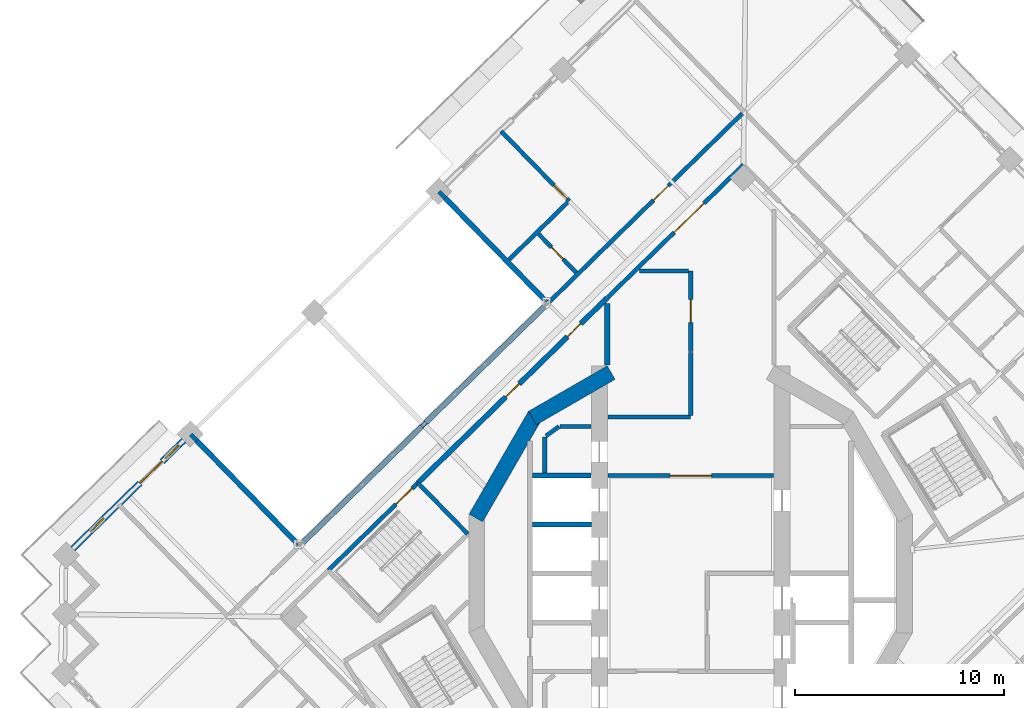
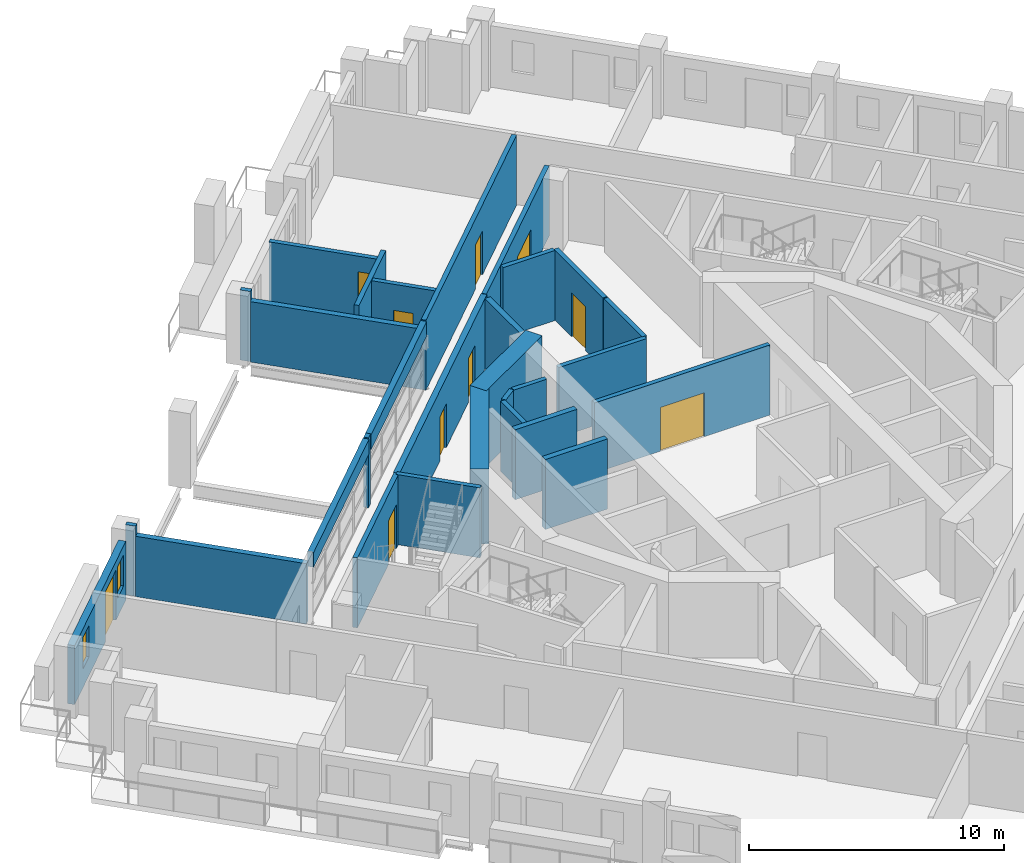
# One storey, part 11 of 21: 29 walls, 10 doors, 2 windows, 12 openings.
"""IFC4 building model written with IfcOpenShell, lengths in metres."""

import ifcopenshell
import ifcopenshell.guid

model = None  # the IFC model being written
_history = None  # IfcOwnerHistory: only IFC2X3 demands one
_inside = {}  # id of a spatial element -> (the spatial element, [elements in it])
_under = {}  # id of a project, library or spatial element -> (it, [spatial elements below it])
_declared = {}  # id of a project -> (the project, [libraries it declares])
_typed = {}  # id of a type object -> (the type object, [elements of that type])
_made_of = {}  # id of a material, layer set ... -> (it, [elements and type objects made of it])


def new_model(schema):
    """Start an empty IFC model of exactly this schema.

    Asked for "IFC4X3", IfcOpenShell would pick the latest addendum, in which some entities
    have other attributes; the version numbers below select the first issue.
    IFC2X3 requires an IfcOwnerHistory on every rooted entity: one is made here for all.
    """
    global model, _history
    if schema == "IFC4X3":
        model = ifcopenshell.file(schema_version=(4, 3, 0, 0))
    else:
        model = ifcopenshell.file(schema=schema)
    _inside.clear()
    _under.clear()
    _declared.clear()
    _typed.clear()
    _made_of.clear()
    _history = None
    if model.schema == "IFC2X3":
        org = make("IfcOrganization", Name="unknown")
        user = make(
            "IfcPersonAndOrganization",
            ThePerson=make("IfcPerson", FamilyName="unknown"),
            TheOrganization=org,
        )
        app = make(
            "IfcApplication",
            ApplicationDeveloper=org,
            Version="unknown",
            ApplicationFullName="unknown",
            ApplicationIdentifier="unknown",
        )
        _history = make(
            "IfcOwnerHistory",
            OwningUser=user,
            OwningApplication=app,
            ChangeAction="ADDED",
            CreationDate=0,
        )
    return model


def make(cls, **values):
    """One entity of the class cls with the attributes given. An attribute that is None is left unset."""
    return model.create_entity(
        cls, **{name: value for name, value in values.items() if value is not None}
    )


def rooted(cls, **values):
    """An entity with a GlobalId (a new one), such as an element, a storey or a relation."""
    return make(cls, GlobalId=ifcopenshell.guid.new(), OwnerHistory=_history, **values)


def si_unit(unit_type, name, prefix=None):
    """IfcSIUnit, for example si_unit("LENGTHUNIT", "METRE", prefix="MILLI")."""
    return make("IfcSIUnit", UnitType=unit_type, Prefix=prefix, Name=name)


def assignment(units):
    """IfcUnitAssignment: the units of a project."""
    return None if units is None else make("IfcUnitAssignment", Units=units)


def point(xyz):
    """IfcCartesianPoint."""
    return None if xyz is None else make("IfcCartesianPoint", Coordinates=xyz)


def direction(xyz):
    """IfcDirection."""
    return None if xyz is None else make("IfcDirection", DirectionRatios=xyz)


def frame(location, z_axis=None, x_axis=None):
    """IfcAxis2Placement3D, a coordinate frame: its origin and axes. An axis left out is left unset."""
    return make(
        "IfcAxis2Placement3D",
        Location=point(location),
        Axis=direction(z_axis),
        RefDirection=direction(x_axis),
    )


def frame_2d(location, x_axis=None):
    """IfcAxis2Placement2D, a coordinate frame in the plane: its origin and x axis."""
    return make(
        "IfcAxis2Placement2D", Location=point(location), RefDirection=direction(x_axis)
    )


def origin():
    """The frame at (0, 0, 0) with its axes left unset."""
    return frame((0.0, 0.0, 0.0))


def place(relative_to, where):
    """IfcLocalPlacement: puts the frame where relative to a parent placement (None: the world)."""
    return make(
        "IfcLocalPlacement", PlacementRelTo=relative_to, RelativePlacement=where
    )


def context(
    kind, dimensions, precision=None, world=None, true_north=None, identifier=None
):
    """IfcGeometricRepresentationContext, for example the 3D "Model" context."""
    return make(
        "IfcGeometricRepresentationContext",
        ContextIdentifier=identifier,
        ContextType=kind,
        CoordinateSpaceDimension=dimensions,
        Precision=precision,
        WorldCoordinateSystem=world,
        TrueNorth=true_north,
    )


def subcontext(parent, identifier, kind, view, scale=None):
    """IfcGeometricRepresentationSubContext, for example "Body" below "Model"."""
    return make(
        "IfcGeometricRepresentationSubContext",
        ContextIdentifier=identifier,
        ContextType=kind,
        ParentContext=parent,
        TargetScale=scale,
        TargetView=view,
    )


def project(units=None, contexts=None):
    """IfcProject with its units and contexts."""
    return rooted(
        "IfcProject",
        Name="project",
        RepresentationContexts=contexts,
        UnitsInContext=assignment(units),
    )


def spatial(cls, under=None, at=None, **own):
    """A site, building, storey or space (cls), placed at a placement, below another one or the project."""
    s = rooted(cls, ObjectPlacement=at, **own)
    if under is not None:
        _under.setdefault(under.id(), (under, []))[1].append(s)
    return s


def profile(cls, at=None, kind="AREA", **sizes):
    """A parametric profile (cls). Its sizes go by their IFC names, for example OverallWidth=200.0."""
    return make(cls, ProfileType=kind, Position=at, **sizes)


def rectangle(**sizes):
    """IfcRectangleProfileDef."""
    return profile("IfcRectangleProfileDef", **sizes)


def extrude(swept, where, along, depth):
    """IfcExtrudedAreaSolid: the profile swept, set in the frame where, extruded along a direction by depth."""
    return make(
        "IfcExtrudedAreaSolid",
        SweptArea=swept,
        Position=where,
        ExtrudedDirection=direction(along),
        Depth=depth,
    )


def shape(context_of_items, identifier, shape_type, items):
    """IfcShapeRepresentation: the items that make up one representation, for example the "Body"."""
    return make(
        "IfcShapeRepresentation",
        ContextOfItems=context_of_items,
        RepresentationIdentifier=identifier,
        RepresentationType=shape_type,
        Items=items,
    )


def material(Name=None, Category=None):
    """IfcMaterial."""
    return make("IfcMaterial", Name=Name, Category=Category)


def layer(
    of_material, thickness, ventilated=None, Name=None, Category=None, Priority=None
):
    """IfcMaterialLayer: one layer of a wall or slab, of a material (None: an air gap)."""
    return make(
        "IfcMaterialLayer",
        Material=of_material,
        LayerThickness=thickness,
        IsVentilated=ventilated,
        Name=Name,
        Category=Category,
        Priority=Priority,
    )


def layer_set(layers, Name=None):
    """IfcMaterialLayerSet."""
    return make("IfcMaterialLayerSet", MaterialLayers=layers, LayerSetName=Name)


def made_of(thing, what):
    """Note that an element or type object is made of a material, layer set ...; save() writes the relation."""
    if what is not None:
        _made_of.setdefault(what.id(), (what, []))[1].append(thing)
    return thing


def type_object(cls, material=None, **own):
    """A type object (cls), such as IfcWallType, which elements share."""
    return made_of(rooted(cls, **own), material)


def element(
    cls,
    number,
    at=None,
    inside=None,
    cuts=None,
    type_object=None,
    material=None,
    context=None,
    identifier="Body",
    shape_type=None,
    held_by="IfcProductDefinitionShape",
    body=None,
    shapes=None,
    **own,
):
    """One element of the class cls, such as IfcWall. Its Tag is "e" and its number.

    at: its placement. inside: the storey or other place that contains it. cuts: it is an
    opening in that element (IfcRelVoidsElement). A single representation is given by context,
    identifier, shape_type and body (its items); several are given by shapes. held_by: the class
    of the entity that holds the representations. save() writes the other relations.
    """
    e = rooted(cls, Tag="e%d" % number, ObjectPlacement=at, **own)
    if body is not None:
        shapes = [shape(context, identifier, shape_type, body)]
    if shapes is not None:
        e.Representation = make(held_by, Representations=shapes)
    if inside is not None:
        _inside.setdefault(inside.id(), (inside, []))[1].append(e)
    if cuts is not None:
        rooted(
            "IfcRelVoidsElement", RelatingBuildingElement=cuts, RelatedOpeningElement=e
        )
    if type_object is not None:
        _typed.setdefault(type_object.id(), (type_object, []))[1].append(e)
    return made_of(e, material)


def fill(opening, filler):
    """IfcRelFillsElement: the door or window that sits in an opening."""
    return rooted(
        "IfcRelFillsElement",
        RelatingOpeningElement=opening,
        RelatedBuildingElement=filler,
    )


def aggregate(whole, parts):
    """IfcRelAggregates: a whole, such as a stair, and the parts it consists of."""
    return rooted("IfcRelAggregates", RelatingObject=whole, RelatedObjects=parts)


def save(model, path):
    """Write the relations noted so far, then the file.

    IfcRelAggregates (storeys below a building ...), IfcRelContainedInSpatialStructure (elements
    in a storey), IfcRelDefinesByType, IfcRelAssociatesMaterial and IfcRelDeclares: one each for
    every whole, place, type object, material and project.
    """
    for whole, parts in _under.values():
        aggregate(whole, parts)
    for where, things in _inside.values():
        rooted(
            "IfcRelContainedInSpatialStructure",
            RelatedElements=things,
            RelatingStructure=where,
        )
    for kind, things in _typed.values():
        rooted("IfcRelDefinesByType", RelatedObjects=things, RelatingType=kind)
    for what, things in _made_of.values():
        rooted("IfcRelAssociatesMaterial", RelatedObjects=things, RelatingMaterial=what)
    for by, libraries in _declared.values():
        rooted("IfcRelDeclares", RelatingContext=by, RelatedDefinitions=libraries)
    model.write(path)


model = new_model("IFC4")

# Units and contexts
model_context = context("Model", 3, precision=1e-05, world=origin(), true_north=direction((0.0, 1.0)))
body_context = subcontext(model_context, "Body", "Model", "MODEL_VIEW")
ifc_project = project(units=[si_unit("LENGTHUNIT", "METRE"), si_unit("AREAUNIT", "SQUARE_METRE"), si_unit("VOLUMEUNIT", "CUBIC_METRE"), si_unit("PLANEANGLEUNIT", "RADIAN"), si_unit("MASSUNIT", "GRAM", prefix="KILO")], contexts=[model_context])

# Site, building, storey
site_placement = place(None, origin())
site = spatial("IfcSite", under=ifc_project, at=site_placement, CompositionType="ELEMENT")
building_placement = place(site_placement, origin())
building = spatial("IfcBuilding", under=site, at=building_placement, Name="Cantera Rosa Tower", CompositionType="ELEMENT")
storey_placement = place(building_placement, frame((0.0, 0.0, 230.60009765625)))
storey = spatial("IfcBuildingStorey", under=building, at=storey_placement, Name="L50", CompositionType="ELEMENT", Elevation=230.60009765625)

# Wall, opening, door
ifc_material_1 = material(Name="Gypsum board partition")
ifc_layer_1 = layer(ifc_material_1, 0.199951171875)
ifc_layer_set_1 = layer_set([ifc_layer_1], Name="CORRIDOR WALL 200 H3350")
wall_type_1 = type_object("IfcWallType", Name="CORRIDOR WALL 200 H3350", PredefinedType="PARTITIONING", material=ifc_layer_set_1)
wall_1_placement = place(storey_placement, frame((-3.969970703125, 4.699951171875, 0.0), z_axis=(0.0, 0.0, 1.0), x_axis=(1.0, 0.0, 0.0)))
wall_1 = element("IfcWall", 1, at=wall_1_placement, inside=storey, type_object=wall_type_1, Name="CORRIDOR WALL L50-050", PredefinedType="PARTITIONING", context=body_context, shape_type="SweptSolid", body=[
    extrude(rectangle(XDim=7.93994140625, YDim=0.199951171875, at=frame_2d((3.969970703125, 0.0))), origin(), (0.0, 0.0, 1.0), 3.349853515625),
])
opening_1_placement = place(wall_1_placement, frame((2.969970703125, 0.0, 0.0)))
opening_1 = element("IfcOpeningElement", 2, at=opening_1_placement, cuts=wall_1, Name="Opening L50-014", PredefinedType="OPENING", context=body_context, shape_type="SweptSolid", body=[
    extrude(rectangle(XDim=2.0, YDim=2.10009765625, at=frame_2d((1.0, 1.050048828125))), frame((0.0, 0.10986328125, 0.0), z_axis=(0.0, -1.0, 0.0), x_axis=(1.0, 0.0, 0.0)), (0.0, 0.0, 1.0), 0.219970703125),
])
ifc_material_2 = material(Name="Steel S355J2 (EN 10025-2)", Category="steel")
door_type_1 = type_object("IfcDoorType", Name="LOBBY SCREEN DOOR 2000x2100", OperationType="NOTDEFINED", PredefinedType="DOOR", material=ifc_material_2)
door_1_placement = place(opening_1_placement, origin())
door_1 = element("IfcDoor", 3, at=door_1_placement, inside=storey, type_object=door_type_1, Name="DOOR L50-014", OperationType="NOTDEFINED", OverallHeight=2.10009765625, OverallWidth=2.0, PredefinedType="DOOR", context=body_context, shape_type="SweptSolid", body=[
    extrude(rectangle(XDim=2.0, YDim=2.10009765625, at=frame_2d((1.0, 1.050048828125))), frame((0.0, 0.02490234375, 0.0), z_axis=(0.0, -1.0, 0.0), x_axis=(1.0, 0.0, 0.0)), (0.0, 0.0, 1.0), 0.050048828125),
])
fill(opening_1, door_1)

# Walls
wall_2_placement = place(storey_placement, frame((-3.969970703125, 7.5, 0.0), z_axis=(0.0, 0.0, 1.0), x_axis=(1.0, 0.0, 0.0)))
element("IfcWall", 4, at=wall_2_placement, inside=storey, type_object=wall_type_1, Name="CORRIDOR WALL L50-051", PredefinedType="PARTITIONING", context=body_context, shape_type="SweptSolid", body=[
    extrude(rectangle(XDim=3.969970703125, YDim=0.199951171875, at=frame_2d((1.98486328125, 0.0))), origin(), (0.0, 0.0, 1.0), 3.349853515625),
])
wall_3_placement = place(storey_placement, frame((0.0, 7.580078125, 0.0), z_axis=(0.0, 0.0, 1.0), x_axis=(0.0, 1.0, 0.0)))
element("IfcWall", 5, at=wall_3_placement, inside=storey, type_object=wall_type_1, Name="CORRIDOR WALL L50-059", PredefinedType="PARTITIONING", context=body_context, shape_type="SweptSolid", body=[
    extrude(rectangle(XDim=3.01513671875, YDim=0.199951171875, at=frame_2d((1.507568359375, 0.0))), origin(), (0.0, 0.0, 1.0), 3.349853515625),
])

# Wall, opening, door
wall_4_placement = place(storey_placement, frame((0.0, 10.6552734375, 0.0), z_axis=(0.0, 0.0, 1.0), x_axis=(0.0, 1.0, 0.0)))
wall_4 = element("IfcWall", 6, at=wall_4_placement, inside=storey, type_object=wall_type_1, Name="CORRIDOR WALL L50-060", PredefinedType="PARTITIONING", context=body_context, shape_type="SweptSolid", body=[
    extrude(rectangle(XDim=3.8447265625, YDim=0.199951171875, at=frame_2d((1.92236328125, 0.0))), origin(), (0.0, 0.0, 1.0), 3.349853515625),
])
opening_2_placement = place(wall_4_placement, frame((1.372314453125, 0.0, 0.0)))
opening_2 = element("IfcOpeningElement", 7, at=opening_2_placement, cuts=wall_4, Name="Opening L50-018", PredefinedType="OPENING", context=body_context, shape_type="SweptSolid", body=[
    extrude(rectangle(XDim=1.10009765625, YDim=2.10009765625, at=frame_2d((0.550048828125, 1.050048828125))), frame((0.0, 0.10986328125, 0.0), z_axis=(0.0, -1.0, 0.0), x_axis=(1.0, 0.0, 0.0)), (0.0, 0.0, 1.0), 0.219970703125),
])
ifc_material_3 = material(Name="Timber door leaf", Category="wood")
door_type_2 = type_object("IfcDoorType", Name="ROOM DOOR 1100x2100", OperationType="NOTDEFINED", PredefinedType="DOOR", material=ifc_material_3)
door_2_placement = place(opening_2_placement, origin())
door_2 = element("IfcDoor", 8, at=door_2_placement, inside=storey, type_object=door_type_2, Name="DOOR L50-018", OperationType="NOTDEFINED", OverallHeight=2.10009765625, OverallWidth=1.10009765625, PredefinedType="DOOR", context=body_context, shape_type="SweptSolid", body=[
    extrude(rectangle(XDim=1.10009765625, YDim=2.10009765625, at=frame_2d((0.550048828125, 1.050048828125))), frame((0.0, 0.02490234375, 0.0), z_axis=(0.0, -1.0, 0.0), x_axis=(1.0, 0.0, 0.0)), (0.0, 0.0, 1.0), 0.050048828125),
])
fill(opening_2, door_2)

# Wall
wall_5_placement = place(storey_placement, frame((-0.10009765625, 14.5, 0.0), z_axis=(0.0, 0.0, 1.0), x_axis=(-1.0, 0.0, 0.0)))
element("IfcWall", 9, at=wall_5_placement, inside=storey, type_object=wall_type_1, Name="CORRIDOR WALL L50-061", PredefinedType="PARTITIONING", context=body_context, shape_type="SweptSolid", body=[
    extrude(rectangle(XDim=2.34765625, YDim=0.199951171875, at=frame_2d((1.173828125, 0.0))), origin(), (0.0, 0.0, 1.0), 3.349853515625),
])

# Wall, opening, door
wall_6_placement = place(storey_placement, frame((2.5263671875, 19.593994140625, 0.0), z_axis=(0.0, 0.0, 1.0), x_axis=(-0.715291692415, -0.698826011796, 0.0)))
wall_6 = element("IfcWall", 10, at=wall_6_placement, inside=storey, type_object=wall_type_1, Name="CORRIDOR WALL L50-066", PredefinedType="PARTITIONING", context=body_context, shape_type="SweptSolid", body=[
    extrude(rectangle(XDim=9.10400390625, YDim=0.199951171875, at=frame_2d((4.552001953125, 0.0))), origin(), (0.0, 0.0, 1.0), 3.349853515625),
])
opening_3_placement = place(wall_6_placement, frame((2.644775390625, 0.0, 0.0)))
opening_3 = element("IfcOpeningElement", 11, at=opening_3_placement, cuts=wall_6, Name="Opening L50-013", PredefinedType="OPENING", context=body_context, shape_type="SweptSolid", body=[
    extrude(rectangle(XDim=2.0, YDim=2.10009765625, at=frame_2d((1.0, 1.050048828125))), frame((0.0, 0.10986328125, 0.0), z_axis=(0.0, -1.0, 0.0), x_axis=(1.0, 0.0, 0.0)), (0.0, 0.0, 1.0), 0.219970703125),
])
door_3_placement = place(opening_3_placement, origin())
door_3 = element("IfcDoor", 12, at=door_3_placement, inside=storey, type_object=door_type_1, Name="DOOR L50-013", OperationType="NOTDEFINED", OverallHeight=2.10009765625, OverallWidth=2.0, PredefinedType="DOOR", context=body_context, shape_type="SweptSolid", body=[
    extrude(rectangle(XDim=2.0, YDim=2.10009765625, at=frame_2d((1.0, 1.050048828125))), frame((0.0, 0.02490234375, 0.0), z_axis=(0.0, -1.0, 0.0), x_axis=(1.0, 0.0, 0.0)), (0.0, 0.0, 1.0), 0.050048828125),
])
fill(opening_3, door_3)

wall_7_placement = place(storey_placement, frame((2.469970703125, 22.0556640625, 0.0), z_axis=(0.0, 0.0, 1.0), x_axis=(-0.715286788114, -0.698831031616, 0.0)))
wall_7 = element("IfcWall", 13, at=wall_7_placement, inside=storey, type_object=wall_type_1, Name="CORRIDOR WALL L50-067", PredefinedType="PARTITIONING", context=body_context, shape_type="SweptSolid", body=[
    extrude(rectangle(XDim=13.144775390625, YDim=0.199951171875, at=frame_2d((6.572265625, 0.0))), origin(), (0.0, 0.0, 1.0), 3.349853515625),
])
opening_4_placement = place(wall_7_placement, frame((4.949951171875, 0.0, 0.0)))
opening_4 = element("IfcOpeningElement", 14, at=opening_4_placement, cuts=wall_7, Name="Opening L50-034", PredefinedType="OPENING", context=body_context, shape_type="SweptSolid", body=[
    extrude(rectangle(XDim=1.0, YDim=2.10009765625, at=frame_2d((0.5, 1.050048828125))), frame((0.0, 0.10986328125, 0.0), z_axis=(0.0, -1.0, 0.0), x_axis=(1.0, 0.0, 0.0)), (0.0, 0.0, 1.0), 0.219970703125),
])
ifc_material_4 = material(Name="Timber door leaf", Category="wood")
door_type_3 = type_object("IfcDoorType", Name="ENTRANCE DOOR 1000x2100", OperationType="NOTDEFINED", PredefinedType="DOOR", material=ifc_material_4)
door_4_placement = place(opening_4_placement, origin())
door_4 = element("IfcDoor", 15, at=door_4_placement, inside=storey, type_object=door_type_3, Name="DOOR L50-034", OperationType="NOTDEFINED", OverallHeight=2.10009765625, OverallWidth=1.0, PredefinedType="DOOR", context=body_context, shape_type="SweptSolid", body=[
    extrude(rectangle(XDim=1.0, YDim=2.10009765625, at=frame_2d((0.5, 1.050048828125))), frame((0.0, 0.02490234375, 0.0), z_axis=(0.0, -1.0, 0.0), x_axis=(1.0, 0.0, 0.0)), (0.0, 0.0, 1.0), 0.050048828125),
])
fill(opening_4, door_4)

# Wall
wall_8_placement = place(storey_placement, frame((-12.68896484375, 7.245361328125, 0.0), z_axis=(0.0, 0.0, 1.0), x_axis=(-0.715356884731, -0.698759277196, 0.0)))
element("IfcWall", 16, at=wall_8_placement, inside=storey, type_object=wall_type_1, Name="CORRIDOR WALL L50-068", PredefinedType="PARTITIONING", context=body_context, shape_type="SweptSolid", body=[
    extrude(rectangle(XDim=0.294189453125, YDim=0.199951171875, at=frame_2d((0.14697265625, 0.0))), origin(), (0.0, 0.0, 1.0), 3.349853515625),
])

# Wall, openings, windows, door
ifc_material_5 = material(Name="Hollow clay masonry with cantera stone cladding", Category="masonry")
ifc_layer_2 = layer(ifc_material_5, 0.300048828125)
ifc_layer_set_2 = layer_set([ifc_layer_2], Name="EW-LOGGIA 300 H2820")
wall_type_2 = type_object("IfcWallType", Name="EW-LOGGIA 300 H2820", PredefinedType="SOLIDWALL", material=ifc_layer_set_2)
wall_9_placement = place(storey_placement, frame((-24.308349609375, 6.37841796875, 0.0), z_axis=(0.0, 0.0, 1.0), x_axis=(-0.715300826176, -0.698816662703, 0.0)))
wall_9 = element("IfcWall", 17, at=wall_9_placement, inside=storey, type_object=wall_type_2, Name="EN-L50-W11", PredefinedType="SOLIDWALL", context=body_context, shape_type="SweptSolid", body=[
    extrude(rectangle(XDim=7.420166015625, YDim=0.300048828125, at=frame_2d((3.7099609375, 0.0))), origin(), (0.0, 0.0, 1.0), 2.81982421875),
])
opening_5_placement = place(wall_9_placement, frame((0.330078125, 0.0, 0.89990234375)))
opening_5 = element("IfcOpeningElement", 18, at=opening_5_placement, cuts=wall_9, Name="Opening L50-W19", PredefinedType="OPENING", context=body_context, shape_type="SweptSolid", body=[
    extrude(rectangle(XDim=0.89990234375, YDim=1.5, at=frame_2d((0.449951171875, 0.75))), frame((0.0, 0.159912109375, 0.0), z_axis=(0.0, -1.0, 0.0), x_axis=(1.0, 0.0, 0.0)), (0.0, 0.0, 1.0), 0.320068359375),
])
opening_6_placement = place(wall_9_placement, frame((1.429931640625, 0.0, 0.0)))
opening_6 = element("IfcOpeningElement", 19, at=opening_6_placement, cuts=wall_9, Name="Opening L50-TD20", PredefinedType="OPENING", context=body_context, shape_type="SweptSolid", body=[
    extrude(rectangle(XDim=1.5, YDim=2.39990234375, at=frame_2d((0.75, 1.199951171875))), frame((0.0, 0.159912109375, 0.0), z_axis=(0.0, -1.0, 0.0), x_axis=(1.0, 0.0, 0.0)), (0.0, 0.0, 1.0), 0.320068359375),
])
opening_7_placement = place(wall_9_placement, frame((5.340087890625, 0.0, 0.89990234375)))
opening_7 = element("IfcOpeningElement", 20, at=opening_7_placement, cuts=wall_9, Name="Opening L50-W21", PredefinedType="OPENING", context=body_context, shape_type="SweptSolid", body=[
    extrude(rectangle(XDim=0.89990234375, YDim=1.5, at=frame_2d((0.449951171875, 0.75))), frame((0.0, 0.159912109375, 0.0), z_axis=(0.0, -1.0, 0.0), x_axis=(1.0, 0.0, 0.0)), (0.0, 0.0, 1.0), 0.320068359375),
])
ifc_material_6 = material(Name="Aluminium frame with clear glass", Category="aluminium")
window_type = type_object("IfcWindowType", Name="Residential window 900x1500", PartitioningType="SINGLE_PANEL", PredefinedType="WINDOW", material=ifc_material_6)
window_1_placement = place(opening_5_placement, origin())
window_1 = element("IfcWindow", 21, at=window_1_placement, inside=storey, type_object=window_type, Name="WINDOW L50-W19", OverallHeight=1.5, OverallWidth=0.89990234375, PartitioningType="SINGLE_PANEL", PredefinedType="WINDOW", context=body_context, shape_type="SweptSolid", body=[
    extrude(rectangle(XDim=0.89990234375, YDim=1.5, at=frame_2d((0.449951171875, 0.75))), frame((0.0, 0.030029296875, 0.0), z_axis=(0.0, -1.0, 0.0), x_axis=(1.0, 0.0, 0.0)), (0.0, 0.0, 1.0), 0.06005859375),
])
fill(opening_5, window_1)
window_2_placement = place(opening_7_placement, origin())
window_2 = element("IfcWindow", 22, at=window_2_placement, inside=storey, type_object=window_type, Name="WINDOW L50-W21", OverallHeight=1.5, OverallWidth=0.89990234375, PartitioningType="SINGLE_PANEL", PredefinedType="WINDOW", context=body_context, shape_type="SweptSolid", body=[
    extrude(rectangle(XDim=0.89990234375, YDim=1.5, at=frame_2d((0.449951171875, 0.75))), frame((0.0, 0.030029296875, 0.0), z_axis=(0.0, -1.0, 0.0), x_axis=(1.0, 0.0, 0.0)), (0.0, 0.0, 1.0), 0.06005859375),
])
fill(opening_7, window_2)
ifc_material_7 = material(Name="Aluminium frame with clear glass", Category="aluminium")
door_type_4 = type_object("IfcDoorType", Name="TD-R 1500x2400", OperationType="NOTDEFINED", PredefinedType="DOOR", material=ifc_material_7)
door_5_placement = place(opening_6_placement, origin())
door_5 = element("IfcDoor", 23, at=door_5_placement, inside=storey, type_object=door_type_4, Name="LOGGIA DOOR L50-TD20", OperationType="SLIDING_TO_LEFT", OverallHeight=2.39990234375, OverallWidth=1.5, PredefinedType="DOOR", context=body_context, shape_type="SweptSolid", body=[
    extrude(rectangle(XDim=1.5, YDim=2.39990234375, at=frame_2d((0.75, 1.199951171875))), frame((0.0, 0.02490234375, 0.0), z_axis=(0.0, -1.0, 0.0), x_axis=(1.0, 0.0, 0.0)), (0.0, 0.0, 1.0), 0.050048828125),
])
fill(opening_6, door_5)

# Walls
ifc_material_8 = material(Name="Concrete C40/50", Category="concrete")
ifc_layer_3 = layer(ifc_material_8, 0.25)
ifc_layer_set_3 = layer_set([ifc_layer_3], Name="EW-POCKET CHEEK 250 H2890")
wall_type_3 = type_object("IfcWallType", Name="EW-POCKET CHEEK 250 H2890", PredefinedType="SOLIDWALL", material=ifc_layer_set_3)
wall_10_placement = place(storey_placement, frame((-11.769775390625, 17.999755859375, 0.0), z_axis=(0.0, 0.0, 1.0), x_axis=(0.698821460183, -0.715296139223, 0.0)))
element("IfcWall", 24, at=wall_10_placement, inside=storey, type_object=wall_type_3, Name="POCKET CHEEK A L50", PredefinedType="SOLIDWALL", context=body_context, shape_type="SweptSolid", body=[
    extrude(rectangle(XDim=6.9501953125, YDim=0.25, at=frame_2d((3.47509765625, 0.0))), origin(), (0.0, 0.0, 1.0), 2.889892578125),
])
wall_11_placement = place(storey_placement, frame((-23.672119140625, 6.37109375, 0.0), z_axis=(0.0, 0.0, 1.0), x_axis=(0.69883901927, -0.715278984135, 0.0)))
element("IfcWall", 25, at=wall_11_placement, inside=storey, type_object=wall_type_3, Name="POCKET CHEEK B L50", PredefinedType="SOLIDWALL", context=body_context, shape_type="SweptSolid", body=[
    extrude(rectangle(XDim=6.949951171875, YDim=0.25, at=frame_2d((3.47509765625, 0.0))), origin(), (0.0, 0.0, 1.0), 2.889892578125),
])
ifc_material_9 = material(Name="Hollow clay masonry with cantera stone cladding", Category="masonry")
ifc_layer_4 = layer(ifc_material_9, 0.25)
ifc_layer_set_4 = layer_set([ifc_layer_4], Name="EW-POCKET REAR 250")
wall_type_4 = type_object("IfcWallType", Name="EW-POCKET REAR 250", PredefinedType="SOLIDWALL", material=ifc_layer_set_4)
wall_12_placement = place(storey_placement, frame((-6.932373046875, 12.86962890625, 2.591796875), z_axis=(0.0, 0.0, 1.0), x_axis=(-0.715279901608, -0.698838080213, 0.0)))
element("IfcWall", 26, at=wall_12_placement, inside=storey, type_object=wall_type_4, Name="POCKET SPANDREL L50-1", PredefinedType="SOLIDWALL", context=body_context, shape_type="SweptSolid", body=[
    extrude(rectangle(XDim=8.048095703125, YDim=0.25, at=frame_2d((4.02392578125, 0.0))), origin(), (0.0, 0.0, 1.0), 0.7080078125),
])
wall_13_placement = place(storey_placement, frame((-12.8994140625, 7.039794921875, 2.591796875), z_axis=(0.0, 0.0, 1.0), x_axis=(-0.715295065393, -0.698822559328, 0.0)))
element("IfcWall", 27, at=wall_13_placement, inside=storey, type_object=wall_type_4, Name="POCKET SPANDREL L50-2", PredefinedType="SOLIDWALL", context=body_context, shape_type="SweptSolid", body=[
    extrude(rectangle(XDim=8.0478515625, YDim=0.25, at=frame_2d((4.02392578125, 0.0))), origin(), (0.0, 0.0, 1.0), 0.7080078125),
])

# Wall, opening, door
ifc_material_10 = material(Name="Gypsum board partition")
ifc_layer_5 = layer(ifc_material_10, 0.199951171875)
ifc_layer_set_5 = layer_set([ifc_layer_5], Name="PARTITION 200 H2850")
wall_type_5 = type_object("IfcWallType", Name="PARTITION 200 H2850", PredefinedType="PARTITIONING", material=ifc_layer_set_5)
wall_14_placement = place(storey_placement, frame((-9.087646484375, 21.207275390625, 0.0), z_axis=(0.0, 0.0, 1.0), x_axis=(0.698824761261, -0.71529291416, 0.0)))
wall_14 = element("IfcWall", 28, at=wall_14_placement, inside=storey, type_object=wall_type_5, Name="PARTITION L50-026", PredefinedType="PARTITIONING", context=body_context, shape_type="SweptSolid", body=[
    extrude(rectangle(XDim=4.669921875, YDim=0.199951171875, at=frame_2d((2.3349609375, 0.0))), origin(), (0.0, 0.0, 1.0), 2.849853515625),
])
opening_8_placement = place(wall_14_placement, frame((3.6201171875, 0.0, 0.0)))
opening_8 = element("IfcOpeningElement", 29, at=opening_8_placement, cuts=wall_14, Name="Opening L50-036", PredefinedType="OPENING", context=body_context, shape_type="SweptSolid", body=[
    extrude(rectangle(XDim=0.89990234375, YDim=2.10009765625, at=frame_2d((0.449951171875, 1.050048828125))), frame((0.0, 0.10986328125, 0.0), z_axis=(0.0, -1.0, 0.0), x_axis=(1.0, 0.0, 0.0)), (0.0, 0.0, 1.0), 0.219970703125),
])
ifc_material_11 = material(Name="Timber door leaf", Category="wood")
door_type_5 = type_object("IfcDoorType", Name="ROOM DOOR 900x2100", OperationType="NOTDEFINED", PredefinedType="DOOR", material=ifc_material_11)
door_6_placement = place(opening_8_placement, origin())
door_6 = element("IfcDoor", 30, at=door_6_placement, inside=storey, type_object=door_type_5, Name="DOOR L50-036", OperationType="NOTDEFINED", OverallHeight=2.10009765625, OverallWidth=0.89990234375, PredefinedType="DOOR", context=body_context, shape_type="SweptSolid", body=[
    extrude(rectangle(XDim=0.89990234375, YDim=2.10009765625, at=frame_2d((0.449951171875, 1.050048828125))), frame((0.0, 0.02490234375, 0.0), z_axis=(0.0, -1.0, 0.0), x_axis=(1.0, 0.0, 0.0)), (0.0, 0.0, 1.0), 0.050048828125),
])
fill(opening_8, door_6)

# Wall
ifc_material_12 = material(Name="Gypsum board partition")
ifc_layer_6 = layer(ifc_material_12, 0.199951171875)
ifc_layer_set_6 = layer_set([ifc_layer_6], Name="PARTITION 200 H3350")
wall_type_6 = type_object("IfcWallType", Name="PARTITION 200 H3350", PredefinedType="PARTITIONING", material=ifc_layer_set_6)
wall_15_placement = place(storey_placement, frame((-23.965576171875, 6.67138671875, 0.0), z_axis=(0.0, 0.0, 1.0), x_axis=(0.698919428836, -0.715200413867, 0.0)))
element("IfcWall", 31, at=wall_15_placement, inside=storey, type_object=wall_type_6, Name="PARTITION L50-002", PredefinedType="PARTITIONING", context=body_context, shape_type="SweptSolid", body=[
    extrude(rectangle(XDim=0.419921875, YDim=0.199951171875, at=frame_2d((0.2099609375, 0.0))), origin(), (0.0, 0.0, 1.0), 3.349853515625),
])

# Wall, opening, door
wall_16_placement = place(storey_placement, frame((-7.285400390625, 16.271484375, 0.0), z_axis=(0.0, 0.0, 1.0), x_axis=(0.698826236875, -0.715291472517, 0.0)))
wall_16 = element("IfcWall", 32, at=wall_16_placement, inside=storey, type_object=wall_type_6, Name="PARTITION L50-034", PredefinedType="PARTITIONING", context=body_context, shape_type="SweptSolid", body=[
    extrude(rectangle(XDim=2.580078125, YDim=0.199951171875, at=frame_2d((1.2900390625, 0.0))), origin(), (0.0, 0.0, 1.0), 3.349853515625),
])
opening_9_placement = place(wall_16_placement, frame((0.8798828125, 0.0, 0.0)))
opening_9 = element("IfcOpeningElement", 33, at=opening_9_placement, cuts=wall_16, Name="Opening L50-035", PredefinedType="OPENING", context=body_context, shape_type="SweptSolid", body=[
    extrude(rectangle(XDim=0.800048828125, YDim=2.10009765625, at=frame_2d((0.39990234375, 1.050048828125))), frame((0.0, 0.10986328125, 0.0), z_axis=(0.0, -1.0, 0.0), x_axis=(1.0, 0.0, 0.0)), (0.0, 0.0, 1.0), 0.219970703125),
])
ifc_material_13 = material(Name="Timber door leaf", Category="wood")
door_type_6 = type_object("IfcDoorType", Name="BATHROOM DOOR 800x2100", OperationType="NOTDEFINED", PredefinedType="DOOR", material=ifc_material_13)
door_7_placement = place(opening_9_placement, origin())
door_7 = element("IfcDoor", 34, at=door_7_placement, inside=storey, type_object=door_type_6, Name="DOOR L50-035", OperationType="NOTDEFINED", OverallHeight=2.10009765625, OverallWidth=0.800048828125, PredefinedType="DOOR", context=body_context, shape_type="SweptSolid", body=[
    extrude(rectangle(XDim=0.800048828125, YDim=2.10009765625, at=frame_2d((0.39990234375, 1.050048828125))), frame((0.0, 0.02490234375, 0.0), z_axis=(0.0, -1.0, 0.0), x_axis=(1.0, 0.0, 0.0)), (0.0, 0.0, 1.0), 0.050048828125),
])
fill(opening_9, door_7)

# Walls
wall_17_placement = place(storey_placement, frame((-7.0, 4.824951171875, 0.0), z_axis=(0.0, 0.0, 1.0), x_axis=(0.0, 1.0, 0.0)))
element("IfcWall", 35, at=wall_17_placement, inside=storey, type_object=wall_type_6, Name="PARTITION L50-037", PredefinedType="PARTITIONING", context=body_context, shape_type="SweptSolid", body=[
    extrude(rectangle(XDim=1.72509765625, YDim=0.199951171875, at=frame_2d((0.862548828125, 0.0))), origin(), (0.0, 0.0, 1.0), 3.349853515625),
])
wall_18_placement = place(storey_placement, frame((-6.935302734375, 6.59716796875, 0.0), z_axis=(0.0, 0.0, 1.0), x_axis=(0.808227862651, 0.588869868506, 0.0)))
element("IfcWall", 36, at=wall_18_placement, inside=storey, type_object=wall_type_6, Name="PARTITION L50-038", PredefinedType="PARTITIONING", context=body_context, shape_type="SweptSolid", body=[
    extrude(rectangle(XDim=0.76904296875, YDim=0.199951171875, at=frame_2d((0.384521484375, 0.0))), origin(), (0.0, 0.0, 1.0), 3.349853515625),
])
wall_19_placement = place(storey_placement, frame((-11.769775390625, 17.999755859375, 0.0), z_axis=(0.0, 0.0, 1.0), x_axis=(-0.698919428836, 0.715200413867, 0.0)))
element("IfcWall", 37, at=wall_19_placement, inside=storey, type_object=wall_type_6, Name="PARTITION L50-039", PredefinedType="PARTITIONING", context=body_context, shape_type="SweptSolid", body=[
    extrude(rectangle(XDim=0.419921875, YDim=0.199951171875, at=frame_2d((0.2099609375, 0.0))), origin(), (0.0, 0.0, 1.0), 3.349853515625),
])
wall_20_placement = place(storey_placement, frame((-6.273681640625, 7.050048828125, 0.0), z_axis=(0.0, 0.0, 1.0), x_axis=(1.0, 0.0, 0.0)))
element("IfcWall", 38, at=wall_20_placement, inside=storey, type_object=wall_type_6, Name="PARTITION L50-041", PredefinedType="PARTITIONING", context=body_context, shape_type="SweptSolid", body=[
    extrude(rectangle(XDim=1.49365234375, YDim=0.199951171875, at=frame_2d((0.746826171875, 0.0))), origin(), (0.0, 0.0, 1.0), 3.349853515625),
])
wall_21_placement = place(storey_placement, frame((-5.909912109375, 17.782958984375, 0.0), z_axis=(0.0, 0.0, 1.0), x_axis=(-0.715311491294, -0.698805745843, 0.0)))
element("IfcWall", 39, at=wall_21_placement, inside=storey, type_object=wall_type_6, Name="PARTITION L50-042", PredefinedType="PARTITIONING", context=body_context, shape_type="SweptSolid", body=[
    extrude(rectangle(XDim=3.90478515625, YDim=0.199951171875, at=frame_2d((1.952392578125, 0.0))), origin(), (0.0, 0.0, 1.0), 3.349853515625),
])
ifc_material_14 = material(Name="Concrete C60/75", Category="concrete")
ifc_layer_7 = layer(ifc_material_14, 0.75)
ifc_layer_set_7 = layer_set([ifc_layer_7], Name="RC CORE WALL 750 C60/75")
wall_type_7 = type_object("IfcWallType", Name="RC CORE WALL 750 C60/75", PredefinedType="SHEAR", material=ifc_layer_set_7)
wall_22_placement = place(storey_placement, frame((-10.300537109375, 2.659423828125, 0.0), z_axis=(0.0, 0.0, 1.0), x_axis=(0.500021842983, 0.866012792365, 0.0)))
element("IfcWall", 40, at=wall_22_placement, inside=storey, type_object=wall_type_7, Name="CW-W4 L50", PredefinedType="SHEAR", context=body_context, shape_type="SweptSolid", body=[
    extrude(rectangle(XDim=5.694091796875, YDim=0.75, at=frame_2d((2.84716796875, 0.0))), origin(), (0.0, 0.0, 1.0), 3.599853515625),
])
wall_23_placement = place(storey_placement, frame((-7.590576171875, 7.453369140625, 0.0), z_axis=(0.0, 0.0, 1.0), x_axis=(0.866013176292, 0.50002117804, 0.0)))
element("IfcWall", 41, at=wall_23_placement, inside=storey, type_object=wall_type_7, Name="CW-W5 L50", PredefinedType="SHEAR", context=body_context, shape_type="SweptSolid", body=[
    extrude(rectangle(XDim=4.362548828125, YDim=0.75, at=frame_2d((2.18115234375, 0.0))), origin(), (0.0, 0.0, 1.0), 3.599853515625),
])
ifc_material_15 = material(Name="Masonry blockwork", Category="masonry")
ifc_layer_8 = layer(ifc_material_15, 0.25)
ifc_layer_set_8 = layer_set([ifc_layer_8], Name="SHAFT WALL 250 H3350")
wall_type_8 = type_object("IfcWallType", Name="SHAFT WALL 250 H3350", PredefinedType="SOLIDWALL", material=ifc_layer_set_8)
wall_24_placement = place(storey_placement, frame((-7.574951171875, 2.35009765625, 0.0), z_axis=(0.0, 0.0, 1.0), x_axis=(1.0, 0.0, 0.0)))
element("IfcWall", 42, at=wall_24_placement, inside=storey, type_object=wall_type_8, Name="SHAFT WALL L50-031", PredefinedType="SOLIDWALL", context=body_context, shape_type="SweptSolid", body=[
    extrude(rectangle(XDim=2.824951171875, YDim=0.25, at=frame_2d((1.41259765625, 0.0))), origin(), (0.0, 0.0, 1.0), 3.349853515625),
])
wall_25_placement = place(storey_placement, frame((-7.574951171875, 4.699951171875, 0.0), z_axis=(0.0, 0.0, 1.0), x_axis=(1.0, 0.0, 0.0)))
element("IfcWall", 43, at=wall_25_placement, inside=storey, type_object=wall_type_8, Name="SHAFT WALL L50-032", PredefinedType="SOLIDWALL", context=body_context, shape_type="SweptSolid", body=[
    extrude(rectangle(XDim=2.794921875, YDim=0.25, at=frame_2d((1.3974609375, 0.0))), origin(), (0.0, 0.0, 1.0), 3.349853515625),
])

# Wall, openings, doors
wall_26_placement = place(storey_placement, frame((-4.0, 13.218017578125, 0.0), z_axis=(0.0, 0.0, 1.0), x_axis=(-0.715292314658, -0.698825374891, 0.0)))
wall_26 = element("IfcWall", 44, at=wall_26_placement, inside=storey, type_object=wall_type_8, Name="SHAFT WALL L50-048", PredefinedType="SOLIDWALL", context=body_context, shape_type="SweptSolid", body=[
    extrude(rectangle(XDim=12.691162109375, YDim=0.25, at=frame_2d((6.345703125, 0.0))), origin(), (0.0, 0.0, 1.0), 3.349853515625),
])
opening_10_placement = place(wall_26_placement, frame((1.77099609375, 0.0, 0.0)))
opening_10 = element("IfcOpeningElement", 45, at=opening_10_placement, cuts=wall_26, Name="Opening L50-008", PredefinedType="OPENING", context=body_context, shape_type="SweptSolid", body=[
    extrude(rectangle(XDim=0.89990234375, YDim=2.10009765625, at=frame_2d((0.449951171875, 1.050048828125))), frame((0.0, 0.135009765625, 0.0), z_axis=(0.0, -1.0, 0.0), x_axis=(1.0, 0.0, 0.0)), (0.0, 0.0, 1.0), 0.27001953125),
])
opening_11_placement = place(wall_26_placement, frame((5.8955078125, 0.0, 0.0)))
opening_11 = element("IfcOpeningElement", 46, at=opening_11_placement, cuts=wall_26, Name="Opening L50-051", PredefinedType="OPENING", context=body_context, shape_type="SweptSolid", body=[
    extrude(rectangle(XDim=0.89990234375, YDim=2.10009765625, at=frame_2d((0.449951171875, 1.050048828125))), frame((0.0, 0.135009765625, 0.0), z_axis=(0.0, -1.0, 0.0), x_axis=(1.0, 0.0, 0.0)), (0.0, 0.0, 1.0), 0.27001953125),
])
ifc_material_16 = material(Name="Timber door leaf", Category="wood")
door_type_7 = type_object("IfcDoorType", Name="SERVICE DOOR 900x2100", OperationType="NOTDEFINED", PredefinedType="DOOR", material=ifc_material_16)
door_8_placement = place(opening_10_placement, origin())
door_8 = element("IfcDoor", 47, at=door_8_placement, inside=storey, type_object=door_type_7, Name="RISER DOOR L50-008", OperationType="NOTDEFINED", OverallHeight=2.10009765625, OverallWidth=0.89990234375, PredefinedType="DOOR", context=body_context, shape_type="SweptSolid", body=[
    extrude(rectangle(XDim=0.89990234375, YDim=2.10009765625, at=frame_2d((0.449951171875, 1.050048828125))), frame((0.0, 0.02490234375, 0.0), z_axis=(0.0, -1.0, 0.0), x_axis=(1.0, 0.0, 0.0)), (0.0, 0.0, 1.0), 0.050048828125),
])
fill(opening_10, door_8)
door_9_placement = place(opening_11_placement, origin())
door_9 = element("IfcDoor", 48, at=door_9_placement, inside=storey, type_object=door_type_7, Name="RISER DOOR L50-051", OperationType="NOTDEFINED", OverallHeight=2.10009765625, OverallWidth=0.89990234375, PredefinedType="DOOR", context=body_context, shape_type="SweptSolid", body=[
    extrude(rectangle(XDim=0.89990234375, YDim=2.10009765625, at=frame_2d((0.449951171875, 1.050048828125))), frame((0.0, 0.02490234375, 0.0), z_axis=(0.0, -1.0, 0.0), x_axis=(1.0, 0.0, 0.0)), (0.0, 0.0, 1.0), 0.050048828125),
])
fill(opening_11, door_9)

# Wall
wall_27_placement = place(storey_placement, frame((-4.0, 12.93798828125, 0.0), z_axis=(0.0, 0.0, 1.0), x_axis=(0.0, -1.0, 0.0)))
element("IfcWall", 49, at=wall_27_placement, inside=storey, type_object=wall_type_8, Name="SHAFT WALL L50-049", PredefinedType="SOLIDWALL", context=body_context, shape_type="SweptSolid", body=[
    extrude(rectangle(XDim=2.94384765625, YDim=0.25, at=frame_2d((1.471923828125, 0.0))), origin(), (0.0, 0.0, 1.0), 3.349853515625),
])

# Wall, opening, door
ifc_material_17 = material(Name="Concrete C50/60", Category="concrete")
ifc_layer_9 = layer(ifc_material_17, 0.199951171875)
ifc_layer_set_9 = layer_set([ifc_layer_9], Name="STAIR WALL 200 H3350")
wall_type_9 = type_object("IfcWallType", Name="STAIR WALL 200 H3350", PredefinedType="SOLIDWALL", material=ifc_layer_set_9)
wall_28_placement = place(storey_placement, frame((-13.077880859375, 4.34912109375, 0.0), z_axis=(0.0, 0.0, 1.0), x_axis=(-0.715278260946, -0.698839759471, 0.0)))
wall_28 = element("IfcWall", 50, at=wall_28_placement, inside=storey, type_object=wall_type_9, Name="STAIR WALL L50-016", PredefinedType="SOLIDWALL", context=body_context, shape_type="SweptSolid", body=[
    extrude(rectangle(XDim=6.0, YDim=0.199951171875, at=frame_2d((3.0, 0.0))), origin(), (0.0, 0.0, 1.0), 3.349853515625),
])
opening_12_placement = place(wall_28_placement, frame((0.375, 0.0, 0.0)))
opening_12 = element("IfcOpeningElement", 51, at=opening_12_placement, cuts=wall_28, Name="Opening L50-004", PredefinedType="OPENING", context=body_context, shape_type="SweptSolid", body=[
    extrude(rectangle(XDim=1.10009765625, YDim=2.10009765625, at=frame_2d((0.550048828125, 1.050048828125))), frame((0.0, 0.10986328125, 0.0), z_axis=(0.0, -1.0, 0.0), x_axis=(1.0, 0.0, 0.0)), (0.0, 0.0, 1.0), 0.219970703125),
])
ifc_material_18 = material(Name="Steel S355J2 (EN 10025-2)", Category="steel")
door_type_8 = type_object("IfcDoorType", Name="STAIR DOOR 1100x2100", OperationType="NOTDEFINED", PredefinedType="DOOR", material=ifc_material_18)
door_10_placement = place(opening_12_placement, origin())
door_10 = element("IfcDoor", 52, at=door_10_placement, inside=storey, type_object=door_type_8, Name="DOOR L50-004", OperationType="NOTDEFINED", OverallHeight=2.10009765625, OverallWidth=1.10009765625, PredefinedType="DOOR", context=body_context, shape_type="SweptSolid", body=[
    extrude(rectangle(XDim=1.10009765625, YDim=2.10009765625, at=frame_2d((0.550048828125, 1.050048828125))), frame((0.0, 0.02490234375, 0.0), z_axis=(0.0, -1.0, 0.0), x_axis=(1.0, 0.0, 0.0)), (0.0, 0.0, 1.0), 0.050048828125),
])
fill(opening_12, door_10)

# Wall
wall_29_placement = place(storey_placement, frame((-10.68359375, 1.8984375, 0.0), z_axis=(0.0, 0.0, 1.0), x_axis=(-0.698828566482, 0.715289196527, 0.0)))
element("IfcWall", 53, at=wall_29_placement, inside=storey, type_object=wall_type_9, Name="STAIR WALL L50-025", PredefinedType="SOLIDWALL", context=body_context, shape_type="SweptSolid", body=[
    extrude(rectangle(XDim=3.426025390625, YDim=0.199951171875, at=frame_2d((1.712890625, 0.0))), origin(), (0.0, 0.0, 1.0), 3.349853515625),
])

save(model, "model.ifc")
